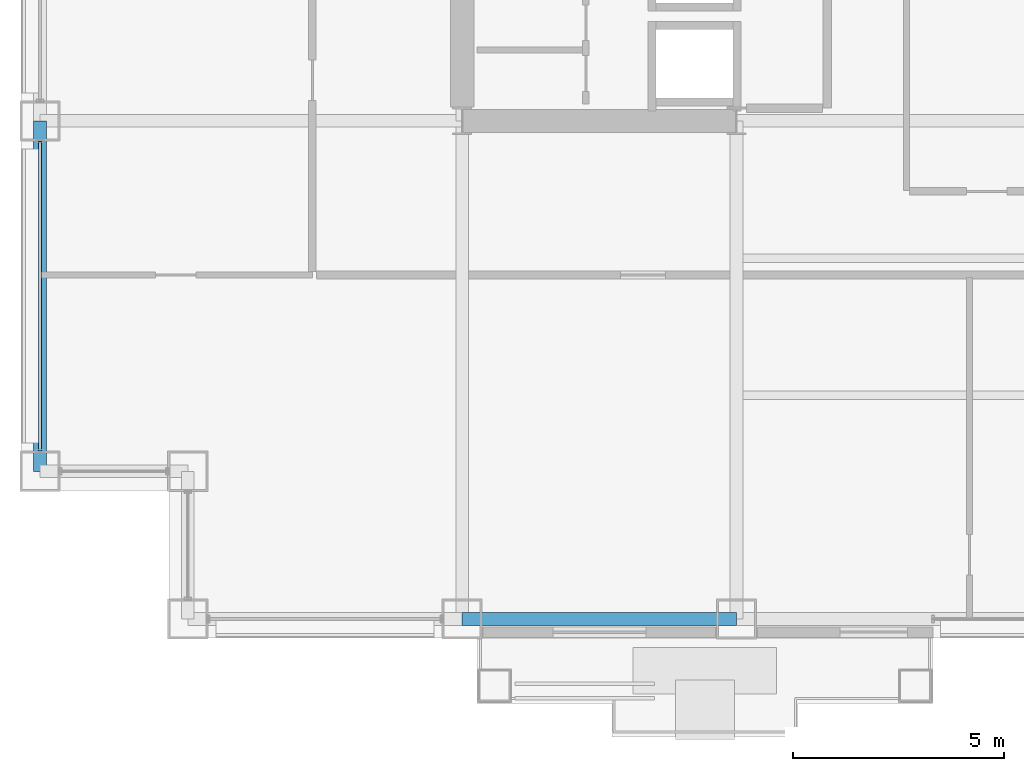
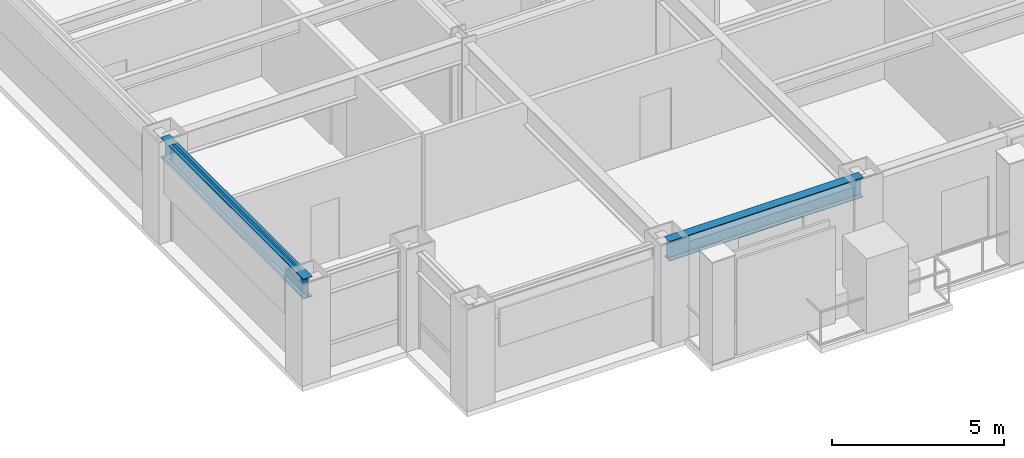
# One storey, part 3 of 31: 2 beams, 1 member, 1 element without a shape of its own.
"""IFC4 building model written with IfcOpenShell, lengths in metres."""

from ifc_helpers import new_model, si_unit, direction, frame, origin, origin_2d, place, context, subcontext, project, spatial, hollow_rectangle, i_section, extrude, material, layer, layer_set, material_profile, profile_set, type_object, element, aggregate, save


model = new_model("IFC4")

# Units and contexts
model_context = context("Model", 3, precision=1e-05, world=origin(), true_north=direction((0.0, 1.0)))
body_context = subcontext(model_context, "Body", "Model", "MODEL_VIEW")
ifc_project = project(units=[si_unit("LENGTHUNIT", "METRE"), si_unit("AREAUNIT", "SQUARE_METRE"), si_unit("VOLUMEUNIT", "CUBIC_METRE"), si_unit("PLANEANGLEUNIT", "RADIAN"), si_unit("MASSUNIT", "GRAM", prefix="KILO")], contexts=[model_context])

# Site, building, storey
site_placement = place(None, origin())
site = spatial("IfcSite", under=ifc_project, at=site_placement, CompositionType="ELEMENT")
building_placement = place(site_placement, origin())
building = spatial("IfcBuilding", under=site, at=building_placement, Name="Brelmoor Portico Tower", CompositionType="ELEMENT")
storey_placement = place(building_placement, frame((0.0, 0.0, 42.0)))
storey = spatial("IfcBuildingStorey", under=building, at=storey_placement, Name="L10", CompositionType="ELEMENT", Elevation=42.0)

# Beams
ifc_material_1 = material(Name="Steel Q355B", Category="steel")
ifc_material_profile_1 = material_profile(ifc_material_1, i_section(OverallWidth=0.300048828125, OverallDepth=0.699951171875, WebThickness=0.012939453125, FlangeThickness=0.02392578125, at=origin_2d()), Name="HN 700x300x13x24")
ifc_profile_set_1 = profile_set([ifc_material_profile_1], Name="Steel Q355B")
beam_type = type_object("IfcBeamType", Name="BM-SP-700", PredefinedType="SPANDREL", material=ifc_profile_set_1)
beam_1_placement = place(storey_placement, frame((-14.550048828125, -21.550048828125, 3.050048828125), z_axis=(1.0, 0.0, 0.0), x_axis=(0.0, 1.0, 0.0)))
element("IfcBeam", 1, at=beam_1_placement, inside=storey, type_object=beam_type, Name="L10 Perimeter Spandrel Beam SP-02", PredefinedType="SPANDREL", context=body_context, shape_type="SweptSolid", body=[
    extrude(i_section(OverallWidth=0.300048828125, OverallDepth=0.699951171875, WebThickness=0.012939453125, FlangeThickness=0.02392578125, at=origin_2d()), origin(), (0.0, 0.0, 1.0), 6.5),
])
beam_2_placement = place(storey_placement, frame((-24.550048828125, -18.050048828125, 3.050048828125), z_axis=(0.0, 1.0, 0.0), x_axis=(-1.0, 0.0, 0.0)))
element("IfcBeam", 2, at=beam_2_placement, inside=storey, type_object=beam_type, Name="L10 Perimeter Spandrel Beam SP-15", PredefinedType="SPANDREL", context=body_context, shape_type="SweptSolid", body=[
    extrude(i_section(OverallWidth=0.300048828125, OverallDepth=0.699951171875, WebThickness=0.012939453125, FlangeThickness=0.02392578125, at=origin_2d()), origin(), (0.0, 0.0, 1.0), 8.300048828125),
])

# Curtain wall, member
ifc_material_2 = material(Name="Anodised Aluminium Alloy 6063-T6", Category="aluminium")
ifc_layer = layer(ifc_material_2, 0.179931640625)
ifc_layer_set = layer_set([ifc_layer], Name="Anodised Aluminium Alloy 6063-T6")
curtain_wall_type = type_object("IfcCurtainWallType", Name="CW-TOWER-Z1-XB", PredefinedType="NOTDEFINED", material=ifc_layer_set)
curtain_wall_placement = place(storey_placement, origin())
curtain_wall = element("IfcCurtainWall", 3, at=curtain_wall_placement, inside=storey, type_object=curtain_wall_type, Name="L10 Curtain Wall CW-L10-03-1", PredefinedType="NOTDEFINED")
ifc_material_profile_2 = material_profile(ifc_material_2, hollow_rectangle(XDim=0.06494140625, YDim=0.139892578125, WallThickness=0.00390625, at=origin_2d()), Name="ALU TRANSOM 65x140")
ifc_profile_set_2 = profile_set([ifc_material_profile_2], Name="Anodised Aluminium Alloy 6063-T6")
member_type = type_object("IfcMemberType", Name="MB-CW-TRAN-140", PredefinedType="USERDEFINED", material=ifc_profile_set_2)
member_placement = place(storey_placement, frame((-24.550048828125, -17.56494140625, 3.330078125), z_axis=(0.0, 1.0, 0.0), x_axis=(-1.0, 0.0, 0.0)))
member = element("IfcMember", 4, at=member_placement, type_object=member_type, Name="CW-L10-03-1 Transom 1-00", ObjectType="TRANSOM", PredefinedType="USERDEFINED", context=body_context, shape_type="SweptSolid", body=[
    extrude(hollow_rectangle(XDim=0.06494140625, YDim=0.139892578125, WallThickness=0.00390625, at=origin_2d()), origin(), (0.0, 0.0, 1.0), 7.329833984375),
])
aggregate(curtain_wall, [member])

save(model, "model.ifc")
